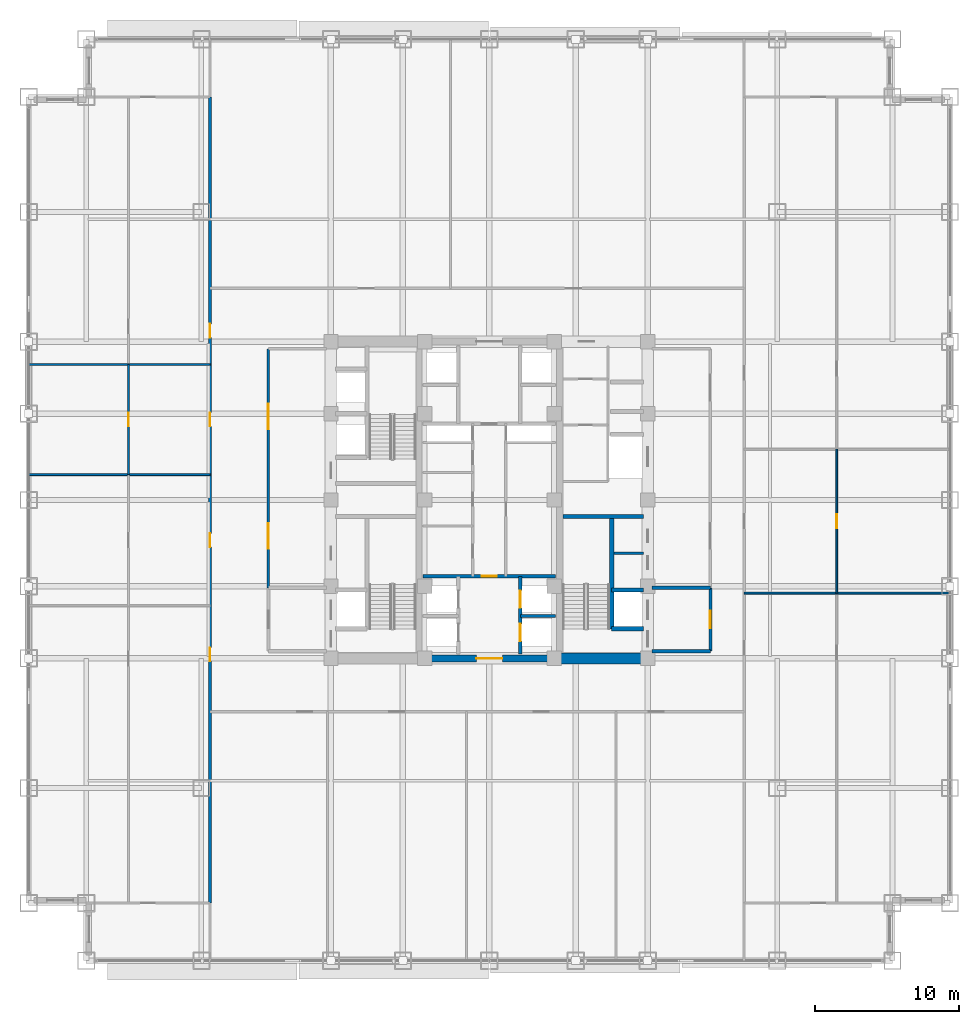
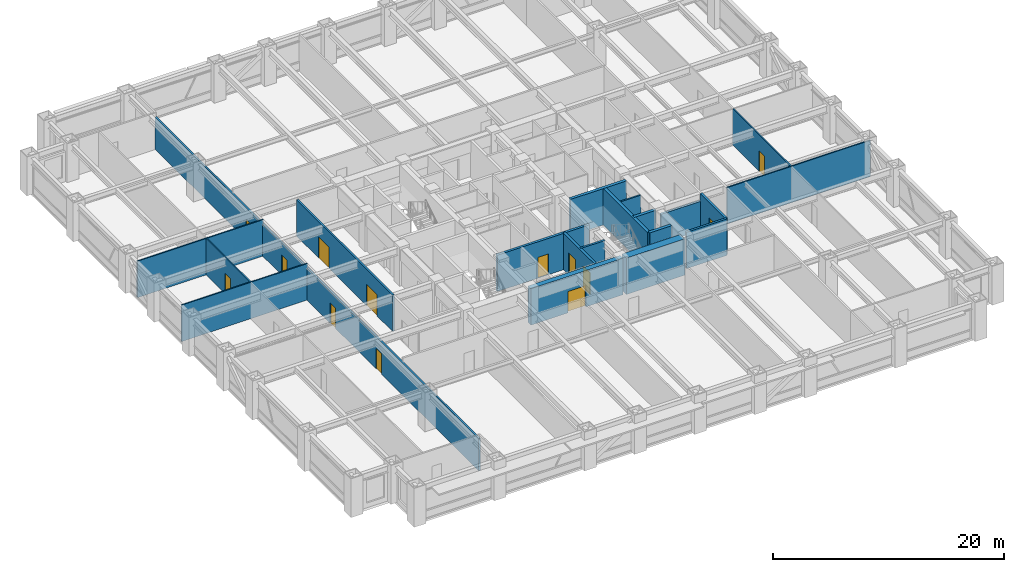
# One storey, part 24 of 32: 20 walls, 13 doors, 13 openings.
"""IFC4 building model written with IfcOpenShell, lengths in metres."""

from ifc_helpers import new_model, si_unit, direction, frame, frame_2d, origin, place, context, subcontext, project, spatial, rectangle, extrude, source, transform, mapped, material, layer, layer_set, type_object, element, fill, save


model = new_model("IFC4")

# Units and contexts
model_context = context("Model", 3, precision=1e-05, world=origin(), true_north=direction((0.0, 1.0)))
body_context = subcontext(model_context, "Body", "Model", "MODEL_VIEW")
ifc_project = project(units=[si_unit("LENGTHUNIT", "METRE"), si_unit("AREAUNIT", "SQUARE_METRE"), si_unit("VOLUMEUNIT", "CUBIC_METRE"), si_unit("PLANEANGLEUNIT", "RADIAN"), si_unit("MASSUNIT", "GRAM", prefix="KILO")], contexts=[model_context])

# Site, building, storey
site_placement = place(None, origin())
site = spatial("IfcSite", under=ifc_project, at=site_placement, CompositionType="ELEMENT")
building_placement = place(site_placement, origin())
building = spatial("IfcBuilding", under=site, at=building_placement, Name="Khorayat Bourse Tower", CompositionType="ELEMENT")
storey_placement = place(building_placement, frame((0.0, 0.0, 136.5)))
storey = spatial("IfcBuildingStorey", under=building, at=storey_placement, Name="L31", CompositionType="ELEMENT", Elevation=136.5)

# Walls
ifc_material_1 = material(Name="Concrete C72/90", Category="concrete")
ifc_layer_1 = layer(ifc_material_1, 0.75)
ifc_layer_set_1 = layer_set([ifc_layer_1], Name="Concrete C72/90")
wall_type_1 = type_object("IfcWallType", Name="WAL-CORE-750", PredefinedType="SHEAR", material=ifc_layer_set_1)
shared_shape_1 = source(origin(), body_context, "Body", "SweptSolid", [
    extrude(rectangle(XDim=5.849853515625, YDim=0.75, at=frame_2d((2.9248046875, 0.0))), origin(), (0.0, 0.0, 1.0), 3.840087890625),
])
wall_1_placement = place(storey_placement, frame((4.85009765625, -11.0, 0.0), z_axis=(0.0, 0.0, 1.0), x_axis=(1.0, 0.0, 0.0)))
element("IfcWall", 1, at=wall_1_placement, inside=storey, type_object=wall_type_1, Name="L31 Core Shear Wall PIER-ES", PredefinedType="SHEAR", context=body_context, shape_type="MappedRepresentation", body=[
    mapped(shared_shape_1, transform((0.0, 0.0, 0.0), scale=1.0)),
])
ifc_material_2 = material(Name="Concrete C50/60", Category="concrete")
ifc_layer_2 = layer(ifc_material_2, 0.300048828125)
ifc_layer_set_2 = layer_set([ifc_layer_2], Name="Concrete C50/60")
wall_type_2 = type_object("IfcWallType", Name="WAL-SHAFT-300", PredefinedType="SHEAR", material=ifc_layer_set_2)
shared_shape_2 = source(origin(), body_context, "Body", "SweptSolid", [
    extrude(rectangle(XDim=5.599853515625, YDim=0.300048828125, at=frame_2d((2.7998046875, 0.0))), origin(), (0.0, 0.0, 1.0), 3.840087890625),
])
wall_2_placement = place(storey_placement, frame((5.10009765625, -1.14990234375, 0.0), z_axis=(0.0, 0.0, 1.0), x_axis=(1.0, 0.0, 0.0)))
element("IfcWall", 2, at=wall_2_placement, inside=storey, type_object=wall_type_2, Name="L31 Core Shear Wall ST3-DIV", PredefinedType="SHEAR", context=body_context, shape_type="MappedRepresentation", body=[
    mapped(shared_shape_2, transform((0.0, 0.0, 0.0), scale=1.0)),
])

# Wall, opening, door
ifc_material_3 = material(Name="Concrete C52/65", Category="concrete")
ifc_layer_3 = layer(ifc_material_3, 0.5)
ifc_layer_set_3 = layer_set([ifc_layer_3], Name="Concrete C52/65")
wall_type_3 = type_object("IfcWallType", Name="WAL-CORE-500", PredefinedType="SHEAR", material=ifc_layer_set_3)
shared_shape_3 = source(origin(), body_context, "Body", "SweptSolid", [
    extrude(rectangle(XDim=9.2001953125, YDim=0.5, at=frame_2d((4.60009765625, 0.0))), origin(), (0.0, 0.0, 1.0), 3.840087890625),
])
wall_3_placement = place(storey_placement, frame((-4.60009765625, -11.0, 0.0), z_axis=(0.0, 0.0, 1.0), x_axis=(1.0, 0.0, 0.0)))
wall_3 = element("IfcWall", 3, at=wall_3_placement, inside=storey, type_object=wall_type_3, Name="L31 Core Shear Wall CORE-S", PredefinedType="SHEAR", context=body_context, shape_type="MappedRepresentation", body=[
    mapped(shared_shape_3, transform((0.0, 0.0, 0.0), scale=1.0)),
])
shared_shape_4 = source(origin(), body_context, "Body", "SweptSolid", [
    extrude(rectangle(XDim=1.800048828125, YDim=2.25, at=frame_2d((0.89990234375, 1.125))), frame((0.0, 0.260009765625, 0.0), z_axis=(0.0, -1.0, 0.0), x_axis=(1.0, 0.0, 0.0)), (0.0, 0.0, 1.0), 0.52001953125),
])
opening_1_placement = place(wall_3_placement, frame((3.699951171875, 0.0, 0.0)))
opening_1 = element("IfcOpeningElement", 4, at=opening_1_placement, cuts=wall_3, Name="Opening DI-03", PredefinedType="OPENING", context=body_context, shape_type="MappedRepresentation", body=[
    mapped(shared_shape_4, transform((0.0, 0.0, 0.0), scale=1.0)),
])
ifc_material_4 = material(Name="Fire-rated hardwood vision-panel double leaf", Category="wood")
door_type_1 = type_object("IfcDoorType", Name="DR-INT-CORR-1800", OperationType="NOTDEFINED", PredefinedType="DOOR", material=ifc_material_4)
shared_shape_5 = source(origin(), body_context, "Body", "SweptSolid", [
    extrude(rectangle(XDim=1.800048828125, YDim=2.25, at=frame_2d((0.89990234375, 1.125))), frame((0.0, 0.02490234375, 0.0), z_axis=(0.0, -1.0, 0.0), x_axis=(1.0, 0.0, 0.0)), (0.0, 0.0, 1.0), 0.050048828125),
])
door_1_placement = place(opening_1_placement, origin())
door_1 = element("IfcDoor", 5, at=door_1_placement, inside=storey, type_object=door_type_1, Name="L31 Low-Rise Lift Lobby Door", OperationType="SINGLE_SWING_LEFT", OverallHeight=2.25, OverallWidth=1.800048828125, PredefinedType="DOOR", context=body_context, shape_type="MappedRepresentation", body=[
    mapped(shared_shape_5, transform((0.0, 0.0, 0.0), scale=1.0)),
])
fill(opening_1, door_1)

# Walls
shared_shape_6 = source(origin(), body_context, "Body", "SweptSolid", [
    extrude(rectangle(XDim=7.800048828125, YDim=0.300048828125, at=frame_2d((3.89990234375, 0.0))), origin(), (0.0, 0.0, 1.0), 3.840087890625),
])
wall_4_placement = place(storey_placement, frame((8.5, -8.949951171875, 0.0), z_axis=(0.0, 0.0, 1.0), x_axis=(0.0, 1.0, 0.0)))
element("IfcWall", 6, at=wall_4_placement, inside=storey, type_object=wall_type_2, Name="L31 Partition WAL-L31-EPIER-SP", PredefinedType="SHEAR", context=body_context, shape_type="MappedRepresentation", body=[
    mapped(shared_shape_6, transform((0.0, 0.0, 0.0), scale=1.0)),
])
shared_shape_7 = source(origin(), body_context, "Body", "SweptSolid", [
    extrude(rectangle(XDim=2.199951171875, YDim=0.300048828125, at=frame_2d((1.10009765625, 0.0))), origin(), (0.0, 0.0, 1.0), 3.840087890625),
])
for number, where, z_axis, x_axis, name in (
    (7, (8.5, -8.949951171875, 0.0), (0.0, 0.0, 1.0), (1.0, 0.0, 0.0), "L31 Partition WAL-L31-EPIER-FF2S"),
    (8, (8.5, -6.25, 0.0), (0.0, 0.0, 1.0), (1.0, 0.0, 0.0), "L31 Partition WAL-L31-EPIER-FF2N"),
):
    element("IfcWall", number, at=place(storey_placement, frame(where, z_axis=z_axis, x_axis=x_axis)), inside=storey, type_object=wall_type_2, Name=name, PredefinedType="SHEAR", context=body_context, shape_type="MappedRepresentation", body=[
        mapped(shared_shape_7, transform((0.0, 0.0, 0.0), scale=1.0)),
    ])
ifc_material_5 = material(Name="Gypsum plasterboard twin-frame partition")
ifc_layer_4 = layer(ifc_material_5, 0.14990234375)
ifc_layer_set_4 = layer_set([ifc_layer_4], Name="Gypsum plasterboard twin-frame partition")
wall_type_4 = type_object("IfcWallType", Name="WAL-PART-SUITE-150", PredefinedType="PARTITIONING", material=ifc_layer_set_4)
shared_shape_8 = source(origin(), body_context, "Body", "SweptSolid", [
    extrude(rectangle(XDim=2.050048828125, YDim=0.14990234375, at=frame_2d((1.02490234375, 0.0))), origin(), (0.0, 0.0, 1.0), 3.840087890625),
])
wall_5_placement = place(storey_placement, frame((8.64990234375, -3.699951171875, 0.0), z_axis=(0.0, 0.0, 1.0), x_axis=(1.0, 0.0, 0.0)))
element("IfcWall", 9, at=wall_5_placement, inside=storey, type_object=wall_type_4, Name="L31 Partition WAL-L31-ESRV-D1", PredefinedType="PARTITIONING", context=body_context, shape_type="MappedRepresentation", body=[
    mapped(shared_shape_8, transform((0.0, 0.0, 0.0), scale=1.0)),
])
ifc_material_6 = material(Name="Aerated concrete blockwork", Category="masonry")
ifc_layer_5 = layer(ifc_material_6, 0.219970703125)
ifc_layer_set_5 = layer_set([ifc_layer_5], Name="Aerated concrete blockwork")
wall_type_5 = type_object("IfcWallType", Name="WAL-PART-FF-220", PredefinedType="PARTITIONING", material=ifc_layer_set_5)
shared_shape_9 = source(origin(), body_context, "Body", "SweptSolid", [
    extrude(rectangle(XDim=4.050048828125, YDim=0.219970703125, at=frame_2d((2.02490234375, 0.0))), origin(), (0.0, 0.0, 1.0), 3.840087890625),
])
wall_6_placement = place(storey_placement, frame((11.300048828125, -10.5, 0.0), z_axis=(0.0, 0.0, 1.0), x_axis=(1.0, 0.0, 0.0)))
element("IfcWall", 10, at=wall_6_placement, inside=storey, type_object=wall_type_5, Name="L31 Partition WAL-L31-FFLE-S", PredefinedType="PARTITIONING", context=body_context, shape_type="MappedRepresentation", body=[
    mapped(shared_shape_9, transform((0.0, 0.0, 0.0), scale=1.0)),
])

# Wall, opening, door
shared_shape_10 = source(origin(), body_context, "Body", "SweptSolid", [
    extrude(rectangle(XDim=4.39990234375, YDim=0.219970703125, at=frame_2d((2.199951171875, 0.0))), origin(), (0.0, 0.0, 1.0), 3.840087890625),
])
wall_7_placement = place(storey_placement, frame((15.35009765625, -10.5, 0.0), z_axis=(0.0, 0.0, 1.0), x_axis=(0.0, 1.0, 0.0)))
wall_7 = element("IfcWall", 11, at=wall_7_placement, inside=storey, type_object=wall_type_5, Name="L31 Partition WAL-L31-FFLE-E", PredefinedType="PARTITIONING", context=body_context, shape_type="MappedRepresentation", body=[
    mapped(shared_shape_10, transform((0.0, 0.0, 0.0), scale=1.0)),
])
shared_shape_11 = source(origin(), body_context, "Body", "SweptSolid", [
    extrude(rectangle(XDim=1.199951171875, YDim=2.199951171875, at=frame_2d((0.60009765625, 1.10009765625))), frame((0.0, 0.119873046875, 0.0), z_axis=(0.0, -1.0, 0.0), x_axis=(1.0, 0.0, 0.0)), (0.0, 0.0, 1.0), 0.239990234375),
])
opening_2_placement = place(wall_7_placement, frame((1.60009765625, 0.0, 0.0)))
opening_2 = element("IfcOpeningElement", 12, at=opening_2_placement, cuts=wall_7, Name="Opening DI-02", PredefinedType="OPENING", context=body_context, shape_type="MappedRepresentation", body=[
    mapped(shared_shape_11, transform((0.0, 0.0, 0.0), scale=1.0)),
])
ifc_material_7 = material(Name="Fire-rated steel double-seal leaf", Category="steel")
door_type_2 = type_object("IfcDoorType", Name="DR-INT-FFLOBBY-1200", OperationType="NOTDEFINED", PredefinedType="DOOR", material=ifc_material_7)
shared_shape_12 = source(origin(), body_context, "Body", "SweptSolid", [
    extrude(rectangle(XDim=1.199951171875, YDim=2.199951171875, at=frame_2d((0.60009765625, 1.10009765625))), frame((0.0, 0.02490234375, 0.0), z_axis=(0.0, -1.0, 0.0), x_axis=(1.0, 0.0, 0.0)), (0.0, 0.0, 1.0), 0.050048828125),
])
door_2_placement = place(opening_2_placement, origin())
door_2 = element("IfcDoor", 13, at=door_2_placement, inside=storey, type_object=door_type_2, Name="L31 East Firefighting Lobby Door", OperationType="SINGLE_SWING_RIGHT", OverallHeight=2.199951171875, OverallWidth=1.199951171875, PredefinedType="DOOR", context=body_context, shape_type="MappedRepresentation", body=[
    mapped(shared_shape_12, transform((0.0, 0.0, 0.0), scale=1.0)),
])
fill(opening_2, door_2)

# Wall, openings, doors
ifc_material_8 = material(Name="Gypsum plasterboard acoustic stud wall")
ifc_layer_6 = layer(ifc_material_8, 0.179931640625)
ifc_layer_set_6 = layer_set([ifc_layer_6], Name="Gypsum plasterboard acoustic stud wall")
wall_type_6 = type_object("IfcWallType", Name="WAL-PART-CORR-180", PredefinedType="PARTITIONING", material=ifc_layer_set_6)
shared_shape_13 = source(origin(), body_context, "Body", "SweptSolid", [
    extrude(rectangle(XDim=16.60009765625, YDim=0.179931640625, at=frame_2d((8.300048828125, 0.0))), origin(), (0.0, 0.0, 1.0), 3.840087890625),
])
wall_8_placement = place(storey_placement, frame((-15.35009765625, -6.10009765625, 0.0), z_axis=(0.0, 0.0, 1.0), x_axis=(0.0, 1.0, 0.0)))
wall_8 = element("IfcWall", 14, at=wall_8_placement, inside=storey, type_object=wall_type_6, Name="L31 Partition WAL-L31-WLOB-W", PredefinedType="PARTITIONING", context=body_context, shape_type="MappedRepresentation", body=[
    mapped(shared_shape_13, transform((0.0, 0.0, 0.0), scale=1.0)),
])
shared_shape_14 = source(origin(), body_context, "Body", "SweptSolid", [
    extrude(rectangle(XDim=1.800048828125, YDim=2.25, at=frame_2d((0.89990234375, 1.125))), frame((0.0, 0.099853515625, 0.0), z_axis=(0.0, -1.0, 0.0), x_axis=(1.0, 0.0, 0.0)), (0.0, 0.0, 1.0), 0.199951171875),
])
opening_3_placement = place(wall_8_placement, frame((2.699951171875, 0.0, 0.0)))
opening_3 = element("IfcOpeningElement", 15, at=opening_3_placement, cuts=wall_8, Name="Opening DI-03", PredefinedType="OPENING", context=body_context, shape_type="MappedRepresentation", body=[
    mapped(shared_shape_14, transform((0.0, 0.0, 0.0), scale=1.0)),
])
opening_4_placement = place(wall_8_placement, frame((11.0, 0.0, 0.0)))
opening_4 = element("IfcOpeningElement", 16, at=opening_4_placement, cuts=wall_8, Name="Opening DI-03", PredefinedType="OPENING", context=body_context, shape_type="MappedRepresentation", body=[
    mapped(shared_shape_14, transform((0.0, 0.0, 0.0), scale=1.0)),
])
door_3_placement = place(opening_3_placement, origin())
door_3 = element("IfcDoor", 17, at=door_3_placement, inside=storey, type_object=door_type_1, Name="L31 West Core Lobby South Door", OperationType="SINGLE_SWING_LEFT", OverallHeight=2.25, OverallWidth=1.800048828125, PredefinedType="DOOR", context=body_context, shape_type="MappedRepresentation", body=[
    mapped(shared_shape_5, transform((0.0, 0.0, 0.0), scale=1.0)),
])
fill(opening_3, door_3)
door_4_placement = place(opening_4_placement, origin())
door_4 = element("IfcDoor", 18, at=door_4_placement, inside=storey, type_object=door_type_1, Name="L31 West Core Lobby North Door", OperationType="SINGLE_SWING_RIGHT", OverallHeight=2.25, OverallWidth=1.800048828125, PredefinedType="DOOR", context=body_context, shape_type="MappedRepresentation", body=[
    mapped(shared_shape_5, transform((0.0, 0.0, 0.0), scale=1.0)),
])
fill(opening_4, door_4)

shared_shape_15 = source(origin(), body_context, "Body", "SweptSolid", [
    extrude(rectangle(XDim=5.39990234375, YDim=0.25, at=frame_2d((2.699951171875, 0.0))), origin(), (0.0, 0.0, 1.0), 3.840087890625),
])
wall_9_placement = place(storey_placement, frame((2.14990234375, -10.699951171875, 0.0), z_axis=(0.0, 0.0, 1.0), x_axis=(0.0, 1.0, 0.0)))
wall_9 = element("IfcWall", 19, at=wall_9_placement, inside=storey, type_object=wall_type_2, Name="L31 Partition WAL-L31-B1-E", PredefinedType="SHEAR", context=body_context, shape_type="MappedRepresentation", body=[
    mapped(shared_shape_15, transform((0.0, 0.0, 0.0), scale=1.0)),
])
shared_shape_16 = source(origin(), body_context, "Body", "SweptSolid", [
    extrude(rectangle(XDim=1.199951171875, YDim=2.300048828125, at=frame_2d((0.60009765625, 1.14990234375))), frame((0.0, 0.135009765625, 0.0), z_axis=(0.0, -1.0, 0.0), x_axis=(1.0, 0.0, 0.0)), (0.0, 0.0, 1.0), 0.27001953125),
])
opening_5_placement = place(wall_9_placement, frame((0.89990234375, 0.0, 0.0)))
opening_5 = element("IfcOpeningElement", 20, at=opening_5_placement, cuts=wall_9, Name="Opening LD-01", PredefinedType="OPENING", context=body_context, shape_type="MappedRepresentation", body=[
    mapped(shared_shape_16, transform((0.0, 0.0, 0.0), scale=1.0)),
])
opening_6_placement = place(wall_9_placement, frame((3.199951171875, 0.0, 0.0)))
opening_6 = element("IfcOpeningElement", 21, at=opening_6_placement, cuts=wall_9, Name="Opening LD-01", PredefinedType="OPENING", context=body_context, shape_type="MappedRepresentation", body=[
    mapped(shared_shape_16, transform((0.0, 0.0, 0.0), scale=1.0)),
])
ifc_material_9 = material(Name="Brushed bronze stainless-steel sliding door", Category="steel")
door_type_3 = type_object("IfcDoorType", Name="DR-LIFT-PASS-1200", OperationType="NOTDEFINED", PredefinedType="DOOR", material=ifc_material_9)
shared_shape_17 = source(origin(), body_context, "Body", "SweptSolid", [
    extrude(rectangle(XDim=1.199951171875, YDim=2.300048828125, at=frame_2d((0.60009765625, 1.14990234375))), frame((0.0, 0.02490234375, 0.0), z_axis=(0.0, -1.0, 0.0), x_axis=(1.0, 0.0, 0.0)), (0.0, 0.0, 1.0), 0.050048828125),
])
door_5_placement = place(opening_5_placement, origin())
door_5 = element("IfcDoor", 22, at=door_5_placement, inside=storey, type_object=door_type_3, Name="L31 Lift PL-L2 Sliding Landing Door", OperationType="SLIDING_TO_LEFT", OverallHeight=2.300048828125, OverallWidth=1.199951171875, PredefinedType="DOOR", context=body_context, shape_type="MappedRepresentation", body=[
    mapped(shared_shape_17, transform((0.0, 0.0, 0.0), scale=1.0)),
])
fill(opening_5, door_5)
door_6_placement = place(opening_6_placement, origin())
door_6 = element("IfcDoor", 23, at=door_6_placement, inside=storey, type_object=door_type_3, Name="L31 Lift PL-L4 Sliding Landing Door", OperationType="SLIDING_TO_LEFT", OverallHeight=2.300048828125, OverallWidth=1.199951171875, PredefinedType="DOOR", context=body_context, shape_type="MappedRepresentation", body=[
    mapped(shared_shape_17, transform((0.0, 0.0, 0.0), scale=1.0)),
])
fill(opening_6, door_6)

# Wall
shared_shape_18 = source(origin(), body_context, "Body", "SweptSolid", [
    extrude(rectangle(XDim=2.4501953125, YDim=0.199951171875, at=frame_2d((1.22509765625, 0.0))), origin(), (0.0, 0.0, 1.0), 3.840087890625),
])
wall_10_placement = place(storey_placement, frame((2.14990234375, -8.050048828125, 0.0), z_axis=(0.0, 0.0, 1.0), x_axis=(1.0, 0.0, 0.0)))
element("IfcWall", 24, at=wall_10_placement, inside=storey, type_object=wall_type_2, Name="L31 Partition WAL-L31-B1-ME", PredefinedType="SHEAR", context=body_context, shape_type="MappedRepresentation", body=[
    mapped(shared_shape_18, transform((0.0, 0.0, 0.0), scale=1.0)),
])

# Wall, opening, door
shared_shape_19 = source(origin(), body_context, "Body", "SweptSolid", [
    extrude(rectangle(XDim=9.2001953125, YDim=0.25, at=frame_2d((4.60009765625, 0.0))), origin(), (0.0, 0.0, 1.0), 3.840087890625),
])
wall_11_placement = place(storey_placement, frame((-4.60009765625, -5.300048828125, 0.0), z_axis=(0.0, 0.0, 1.0), x_axis=(1.0, 0.0, 0.0)))
wall_11 = element("IfcWall", 25, at=wall_11_placement, inside=storey, type_object=wall_type_2, Name="L31 Partition WAL-L31-B1-N", PredefinedType="SHEAR", context=body_context, shape_type="MappedRepresentation", body=[
    mapped(shared_shape_19, transform((0.0, 0.0, 0.0), scale=1.0)),
])
shared_shape_20 = source(origin(), body_context, "Body", "SweptSolid", [
    extrude(rectangle(XDim=1.050048828125, YDim=2.199951171875, at=frame_2d((0.52490234375, 1.10009765625))), frame((0.0, 0.135009765625, 0.0), z_axis=(0.0, -1.0, 0.0), x_axis=(1.0, 0.0, 0.0)), (0.0, 0.0, 1.0), 0.27001953125),
])
opening_7_placement = place(wall_11_placement, frame((4.074951171875, 0.0, 0.0)))
opening_7 = element("IfcOpeningElement", 26, at=opening_7_placement, cuts=wall_11, Name="Opening DI-04", PredefinedType="OPENING", context=body_context, shape_type="MappedRepresentation", body=[
    mapped(shared_shape_20, transform((0.0, 0.0, 0.0), scale=1.0)),
])
ifc_material_10 = material(Name="Fire-rated oak veneer suite entrance door")
door_type_4 = type_object("IfcDoorType", Name="DR-INT-SUITE-1050", OperationType="NOTDEFINED", PredefinedType="DOOR", material=ifc_material_10)
shared_shape_21 = source(origin(), body_context, "Body", "SweptSolid", [
    extrude(rectangle(XDim=1.050048828125, YDim=2.199951171875, at=frame_2d((0.52490234375, 1.10009765625))), frame((0.0, 0.02490234375, 0.0), z_axis=(0.0, -1.0, 0.0), x_axis=(1.0, 0.0, 0.0)), (0.0, 0.0, 1.0), 0.050048828125),
])
door_7_placement = place(opening_7_placement, origin())
door_7 = element("IfcDoor", 27, at=door_7_placement, inside=storey, type_object=door_type_4, Name="L31 Core Spine South Door", OperationType="SINGLE_SWING_LEFT", OverallHeight=2.199951171875, OverallWidth=1.050048828125, PredefinedType="DOOR", context=body_context, shape_type="MappedRepresentation", body=[
    mapped(shared_shape_21, transform((0.0, 0.0, 0.0), scale=1.0)),
])
fill(opening_7, door_7)

# Walls
ifc_material_11 = material(Name="Gypsum plasterboard partition")
ifc_layer_7 = layer(ifc_material_11, 0.125)
ifc_layer_set_7 = layer_set([ifc_layer_7], Name="Gypsum plasterboard partition")
wall_type_7 = type_object("IfcWallType", Name="WAL-PART-ROOM-125", PredefinedType="PARTITIONING", material=ifc_layer_set_7)
shared_shape_22 = source(origin(), body_context, "Body", "SweptSolid", [
    extrude(rectangle(XDim=12.60009765625, YDim=0.125, at=frame_2d((6.300048828125, 0.0))), origin(), (0.0, 0.0, 1.0), 3.840087890625),
])
for number, where, z_axis, x_axis, name in (
    (28, (-32.0, 1.763916015625, 0.0), (0.0, 0.0, 1.0), (1.0, 0.0, 0.0), "L31 Partition WAL-L31-WDV-2"),
    (29, (-32.0, 9.407958984375, 0.0), (0.0, 0.0, 1.0), (1.0, 0.0, 0.0), "L31 Partition WAL-L31-WDV-3"),
):
    element("IfcWall", number, at=place(storey_placement, frame(where, z_axis=z_axis, x_axis=x_axis)), inside=storey, type_object=wall_type_7, Name=name, PredefinedType="PARTITIONING", context=body_context, shape_type="MappedRepresentation", body=[
        mapped(shared_shape_22, transform((0.0, 0.0, 0.0), scale=1.0)),
    ])

# Wall, openings, doors
shared_shape_23 = source(origin(), body_context, "Body", "SweptSolid", [
    extrude(rectangle(XDim=56.0, YDim=0.179931640625, at=frame_2d((28.0, 0.0))), origin(), (0.0, 0.0, 1.0), 3.37109375),
])
wall_12_placement = place(storey_placement, frame((-19.39990234375, -28.0, 0.0), z_axis=(0.0, 0.0, 1.0), x_axis=(0.0, 1.0, 0.0)))
wall_12 = element("IfcWall", 30, at=wall_12_placement, inside=storey, type_object=wall_type_6, Name="L31 Partition WAL-L31-WCORR", PredefinedType="PARTITIONING", context=body_context, shape_type="MappedRepresentation", body=[
    mapped(shared_shape_23, transform((0.0, 0.0, 0.0), scale=1.0)),
])
shared_shape_24 = source(origin(), body_context, "Body", "SweptSolid", [
    extrude(rectangle(XDim=0.949951171875, YDim=2.14990234375, at=frame_2d((0.47509765625, 1.074951171875))), frame((0.0, 0.099853515625, 0.0), z_axis=(0.0, -1.0, 0.0), x_axis=(1.0, 0.0, 0.0)), (0.0, 0.0, 1.0), 0.199951171875),
])
opening_8_placement = place(wall_12_placement, frame((16.800048828125, 0.0, 0.0)))
opening_8 = element("IfcOpeningElement", 31, at=opening_8_placement, cuts=wall_12, Name="Opening DI-05", PredefinedType="OPENING", context=body_context, shape_type="MappedRepresentation", body=[
    mapped(shared_shape_24, transform((0.0, 0.0, 0.0), scale=1.0)),
])
opening_9_placement = place(wall_12_placement, frame((24.73193359375, 0.0, 0.0)))
opening_9 = element("IfcOpeningElement", 32, at=opening_9_placement, cuts=wall_12, Name="Opening DI-05", PredefinedType="OPENING", context=body_context, shape_type="MappedRepresentation", body=[
    mapped(shared_shape_24, transform((0.0, 0.0, 0.0), scale=1.0)),
])
opening_10_placement = place(wall_12_placement, frame((33.111083984375, 0.0, 0.0)))
opening_10 = element("IfcOpeningElement", 33, at=opening_10_placement, cuts=wall_12, Name="Opening DI-05", PredefinedType="OPENING", context=body_context, shape_type="MappedRepresentation", body=[
    mapped(shared_shape_24, transform((0.0, 0.0, 0.0), scale=1.0)),
])
opening_11_placement = place(wall_12_placement, frame((39.279052734375, 0.0, 0.0)))
opening_11 = element("IfcOpeningElement", 34, at=opening_11_placement, cuts=wall_12, Name="Opening DI-05", PredefinedType="OPENING", context=body_context, shape_type="MappedRepresentation", body=[
    mapped(shared_shape_24, transform((0.0, 0.0, 0.0), scale=1.0)),
])
ifc_material_12 = material(Name="Acoustic oak veneer office door")
door_type_5 = type_object("IfcDoorType", Name="DR-INT-OFFICE-950", OperationType="NOTDEFINED", PredefinedType="DOOR", material=ifc_material_12)
shared_shape_25 = source(origin(), body_context, "Body", "SweptSolid", [
    extrude(rectangle(XDim=0.949951171875, YDim=2.14990234375, at=frame_2d((0.47509765625, 1.074951171875))), frame((0.0, 0.02490234375, 0.0), z_axis=(0.0, -1.0, 0.0), x_axis=(1.0, 0.0, 0.0)), (0.0, 0.0, 1.0), 0.050048828125),
])
door_8_placement = place(opening_8_placement, origin())
door_8 = element("IfcDoor", 35, at=door_8_placement, inside=storey, type_object=door_type_5, Name="L31 Executive Boardroom W1 Door", OperationType="SINGLE_SWING_RIGHT", OverallHeight=2.14990234375, OverallWidth=0.949951171875, PredefinedType="DOOR", context=body_context, shape_type="MappedRepresentation", body=[
    mapped(shared_shape_25, transform((0.0, 0.0, 0.0), scale=1.0)),
])
fill(opening_8, door_8)
door_9_placement = place(opening_9_placement, origin())
door_9 = element("IfcDoor", 36, at=door_9_placement, inside=storey, type_object=door_type_5, Name="L31 Catering Servery Kitchen W2 Door", OperationType="SINGLE_SWING_LEFT", OverallHeight=2.14990234375, OverallWidth=0.949951171875, PredefinedType="DOOR", context=body_context, shape_type="MappedRepresentation", body=[
    mapped(shared_shape_25, transform((0.0, 0.0, 0.0), scale=1.0)),
])
fill(opening_9, door_9)
door_10_placement = place(opening_10_placement, origin())
door_10 = element("IfcDoor", 37, at=door_10_placement, inside=storey, type_object=door_type_5, Name="L31 Clearing Operations Office W3 Door", OperationType="SINGLE_SWING_RIGHT", OverallHeight=2.14990234375, OverallWidth=0.949951171875, PredefinedType="DOOR", context=body_context, shape_type="MappedRepresentation", body=[
    mapped(shared_shape_25, transform((0.0, 0.0, 0.0), scale=1.0)),
])
fill(opening_10, door_10)
door_11_placement = place(opening_11_placement, origin())
door_11 = element("IfcDoor", 38, at=door_11_placement, inside=storey, type_object=door_type_5, Name="L31 Clearing Records Archive Store W4 Door", OperationType="SINGLE_SWING_LEFT", OverallHeight=2.14990234375, OverallWidth=0.949951171875, PredefinedType="DOOR", context=body_context, shape_type="MappedRepresentation", body=[
    mapped(shared_shape_25, transform((0.0, 0.0, 0.0), scale=1.0)),
])
fill(opening_11, door_11)

# Walls
shared_shape_26 = source(origin(), body_context, "Body", "SweptSolid", [
    extrude(rectangle(XDim=14.300048828125, YDim=0.125, at=frame_2d((7.14990234375, 0.0))), origin(), (0.0, 0.0, 1.0), 3.840087890625),
])
wall_13_placement = place(storey_placement, frame((17.699951171875, -6.468017578125, 0.0), z_axis=(0.0, 0.0, 1.0), x_axis=(1.0, 0.0, 0.0)))
element("IfcWall", 39, at=wall_13_placement, inside=storey, type_object=wall_type_7, Name="L31 Partition WAL-L31-EDV-1", PredefinedType="PARTITIONING", context=body_context, shape_type="MappedRepresentation", body=[
    mapped(shared_shape_26, transform((0.0, 0.0, 0.0), scale=1.0)),
])
shared_shape_27 = source(origin(), body_context, "Body", "SweptSolid", [
    extrude(rectangle(XDim=4.050048828125, YDim=0.219970703125, at=frame_2d((2.02490234375, 0.0))), origin(), (0.0, 0.0, 1.0), 3.06689453125),
])
wall_14_placement = place(storey_placement, frame((11.300048828125, -6.10009765625, 0.0), z_axis=(0.0, 0.0, 1.0), x_axis=(1.0, 0.0, 0.0)))
element("IfcWall", 40, at=wall_14_placement, inside=storey, type_object=wall_type_5, Name="L31 Partition WAL-L31-FFLE-N", PredefinedType="PARTITIONING", context=body_context, shape_type="MappedRepresentation", body=[
    mapped(shared_shape_27, transform((0.0, 0.0, 0.0), scale=1.0)),
])

# Wall, opening, door
shared_shape_28 = source(origin(), body_context, "Body", "SweptSolid", [
    extrude(rectangle(XDim=7.64404296875, YDim=0.125, at=frame_2d((3.822021484375, 0.0))), origin(), (0.0, 0.0, 1.0), 3.840087890625),
])
wall_15_placement = place(storey_placement, frame((-25.070068359375, 1.763916015625, 0.0), z_axis=(0.0, 0.0, 1.0), x_axis=(0.0, 1.0, 0.0)))
wall_15 = element("IfcWall", 41, at=wall_15_placement, inside=storey, type_object=wall_type_7, Name="L31 Partition WAL-L31-WDP-3", PredefinedType="PARTITIONING", context=body_context, shape_type="MappedRepresentation", body=[
    mapped(shared_shape_28, transform((0.0, 0.0, 0.0), scale=1.0)),
])
shared_shape_29 = source(origin(), body_context, "Body", "SweptSolid", [
    extrude(rectangle(XDim=0.949951171875, YDim=2.14990234375, at=frame_2d((0.47509765625, 1.074951171875))), frame((0.0, 0.072509765625, 0.0), z_axis=(0.0, -1.0, 0.0), x_axis=(1.0, 0.0, 0.0)), (0.0, 0.0, 1.0), 0.14501953125),
])
opening_12_placement = place(wall_15_placement, frame((3.346923828125, 0.0, 0.0)))
opening_12 = element("IfcOpeningElement", 42, at=opening_12_placement, cuts=wall_15, Name="Opening DI-05", PredefinedType="OPENING", context=body_context, shape_type="MappedRepresentation", body=[
    mapped(shared_shape_29, transform((0.0, 0.0, 0.0), scale=1.0)),
])
door_12_placement = place(opening_12_placement, origin())
door_12 = element("IfcDoor", 43, at=door_12_placement, inside=storey, type_object=door_type_5, Name="L31 Equities Trading Desk W3B Door", OperationType="SINGLE_SWING_RIGHT", OverallHeight=2.14990234375, OverallWidth=0.949951171875, PredefinedType="DOOR", context=body_context, shape_type="MappedRepresentation", body=[
    mapped(shared_shape_25, transform((0.0, 0.0, 0.0), scale=1.0)),
])
fill(opening_12, door_12)

shared_shape_30 = source(origin(), body_context, "Body", "SweptSolid", [
    extrude(rectangle(XDim=9.99609375, YDim=0.125, at=frame_2d((4.998046875, 0.0))), origin(), (0.0, 0.0, 1.0), 3.840087890625),
])
wall_16_placement = place(storey_placement, frame((24.135009765625, -6.468017578125, 0.0), z_axis=(0.0, 0.0, 1.0), x_axis=(0.0, 1.0, 0.0)))
wall_16 = element("IfcWall", 44, at=wall_16_placement, inside=storey, type_object=wall_type_7, Name="L31 Partition WAL-L31-EDP-2", PredefinedType="PARTITIONING", context=body_context, shape_type="MappedRepresentation", body=[
    mapped(shared_shape_30, transform((0.0, 0.0, 0.0), scale=1.0)),
])
opening_13_placement = place(wall_16_placement, frame((4.52294921875, 0.0, 0.0)))
opening_13 = element("IfcOpeningElement", 45, at=opening_13_placement, cuts=wall_16, Name="Opening DI-05", PredefinedType="OPENING", context=body_context, shape_type="MappedRepresentation", body=[
    mapped(shared_shape_29, transform((0.0, 0.0, 0.0), scale=1.0)),
])
door_13_placement = place(opening_13_placement, origin())
door_13 = element("IfcDoor", 46, at=door_13_placement, inside=storey, type_object=door_type_5, Name="L31 Members Dining Room E2B Door", OperationType="SINGLE_SWING_LEFT", OverallHeight=2.14990234375, OverallWidth=0.949951171875, PredefinedType="DOOR", context=body_context, shape_type="MappedRepresentation", body=[
    mapped(shared_shape_25, transform((0.0, 0.0, 0.0), scale=1.0)),
])
fill(opening_13, door_13)

save(model, "model.ifc")
